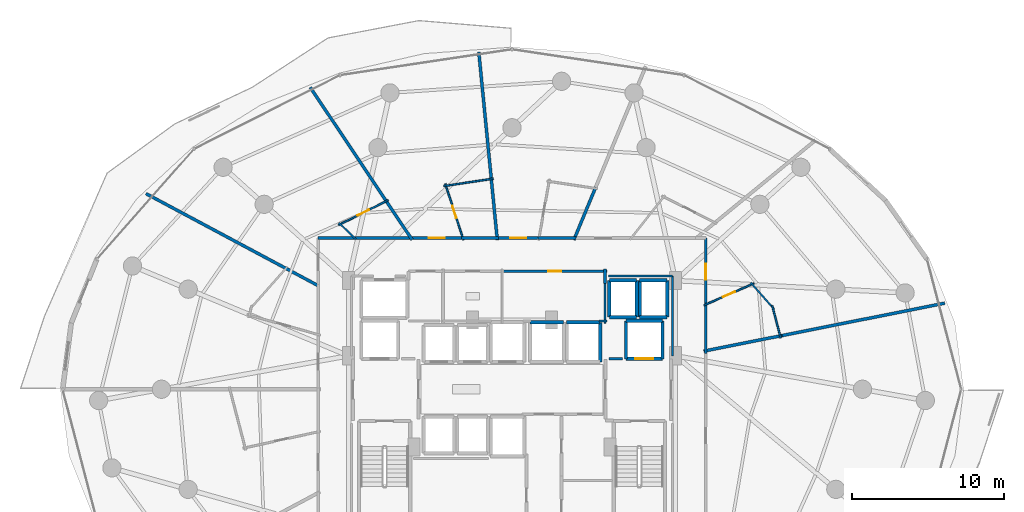
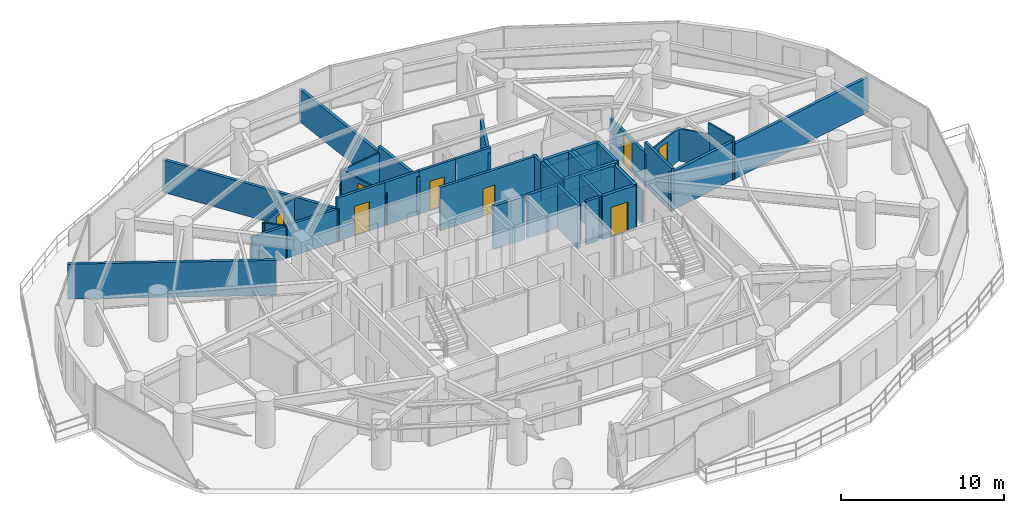
# One storey, part 29 of 34: 45 walls, 8 doors, 8 openings.
"""IFC4 building model written with IfcOpenShell, lengths in metres."""

from ifc_helpers import new_model, si_unit, direction, frame, frame_2d, origin, place, context, subcontext, project, spatial, rectangle, extrude, material, layer, layer_set, type_object, element, fill, save


model = new_model("IFC4")

# Units and contexts
model_context = context("Model", 3, precision=1e-05, world=origin(), true_north=direction((0.0, 1.0)))
body_context = subcontext(model_context, "Body", "Model", "MODEL_VIEW")
ifc_project = project(units=[si_unit("LENGTHUNIT", "METRE"), si_unit("AREAUNIT", "SQUARE_METRE"), si_unit("VOLUMEUNIT", "CUBIC_METRE"), si_unit("PLANEANGLEUNIT", "RADIAN"), si_unit("MASSUNIT", "GRAM", prefix="KILO")], contexts=[model_context])

# Site, building, storey
site_placement = place(None, origin())
site = spatial("IfcSite", under=ifc_project, at=site_placement, CompositionType="ELEMENT")
building_placement = place(site_placement, origin())
building = spatial("IfcBuilding", under=site, at=building_placement, Name="Vorneva Point Tower", CompositionType="ELEMENT")
storey_placement = place(building_placement, frame((0.0, 0.0, 62.5)))
storey = spatial("IfcBuildingStorey", under=building, at=storey_placement, Name="L16", CompositionType="ELEMENT", Elevation=62.5)

# Wall, opening, door
ifc_material_1 = material(Name="Concrete B60 (C50/60)", Category="concrete")
ifc_layer_1 = layer(ifc_material_1, 0.5)
ifc_layer_set_1 = layer_set([ifc_layer_1], Name="Concrete B60 (C50/60)")
wall_type_1 = type_object("IfcWallType", Name="WL-CORE-500", PredefinedType="SHEAR", material=ifc_layer_set_1)
wall_1_placement = place(storey_placement, frame((45.5, 28.0, 0.0), z_axis=(0.0, 0.0, 1.0), x_axis=(1.0, 0.0, 0.0)))
wall_1 = element("IfcWall", 1, at=wall_1_placement, inside=storey, type_object=wall_type_1, Name="L16 Lift FFL2 Shaft Wall -Y", PredefinedType="SHEAR", context=body_context, shape_type="SweptSolid", body=[
    extrude(rectangle(XDim=2.39990234375, YDim=0.219970703125, at=frame_2d((1.199951171875, 0.0))), origin(), (0.0, 0.0, 1.0), 3.239990234375),
])
opening_1_placement = place(wall_1_placement, frame((0.60009765625, 0.0, 0.0)))
opening_1 = element("IfcOpeningElement", 2, at=opening_1_placement, cuts=wall_1, Name="Opening LD-02", PredefinedType="OPENING", context=body_context, shape_type="SweptSolid", body=[
    extrude(rectangle(XDim=1.199951171875, YDim=2.199951171875, at=frame_2d((0.60009765625, 1.10009765625))), frame((0.0, 0.125, 0.0), z_axis=(0.0, -1.0, 0.0), x_axis=(1.0, 0.0, 0.0)), (0.0, 0.0, 1.0), 0.249755859375),
])
ifc_material_2 = material(Name="Brushed stainless steel S304", Category="steel")
door_type_1 = type_object("IfcDoorType", Name="LD-FIRE-1200", OperationType="SLIDING_TO_LEFT", PredefinedType="DOOR", material=ifc_material_2)
door_1_placement = place(opening_1_placement, origin())
door_1 = element("IfcDoor", 3, at=door_1_placement, inside=storey, type_object=door_type_1, Name="L16 Lift FFL2 Sliding Landing Door", OperationType="SLIDING_TO_LEFT", OverallHeight=2.199951171875, OverallWidth=1.199951171875, PredefinedType="DOOR", context=body_context, shape_type="SweptSolid", body=[
    extrude(rectangle(XDim=1.199951171875, YDim=2.199951171875, at=frame_2d((0.60009765625, 1.10009765625))), frame((0.0, 0.02490234375, 0.0), z_axis=(0.0, -1.0, 0.0), x_axis=(1.0, 0.0, 0.0)), (0.0, 0.0, 1.0), 0.050048828125),
])
fill(opening_1, door_1)

# Walls
wall_2_placement = place(storey_placement, frame((47.89990234375, 28.0, 0.0), z_axis=(0.0, 0.0, 1.0), x_axis=(0.0, 1.0, 0.0)))
element("IfcWall", 4, at=wall_2_placement, inside=storey, type_object=wall_type_1, Name="L16 Lift FFL2 Shaft Wall +X", PredefinedType="SHEAR", context=body_context, shape_type="SweptSolid", body=[
    extrude(rectangle(XDim=2.5, YDim=0.219970703125, at=frame_2d((1.25, 0.0))), origin(), (0.0, 0.0, 1.0), 3.239990234375),
])
wall_3_placement = place(storey_placement, frame((47.89990234375, 30.5, 0.0), z_axis=(0.0, 0.0, 1.0), x_axis=(-1.0, 0.0, 0.0)))
element("IfcWall", 5, at=wall_3_placement, inside=storey, type_object=wall_type_1, Name="L16 Lift FFL2 Shaft Wall +Y", PredefinedType="SHEAR", context=body_context, shape_type="SweptSolid", body=[
    extrude(rectangle(XDim=2.39990234375, YDim=0.219970703125, at=frame_2d((1.199951171875, 0.0))), origin(), (0.0, 0.0, 1.0), 3.239990234375),
])
wall_4_placement = place(storey_placement, frame((45.5, 30.5, 0.0), z_axis=(0.0, 0.0, 1.0), x_axis=(0.0, -1.0, 0.0)))
element("IfcWall", 6, at=wall_4_placement, inside=storey, type_object=wall_type_1, Name="L16 Lift FFL2 Shaft Wall -X", PredefinedType="SHEAR", context=body_context, shape_type="SweptSolid", body=[
    extrude(rectangle(XDim=2.5, YDim=0.219970703125, at=frame_2d((1.25, 0.0))), origin(), (0.0, 0.0, 1.0), 3.239990234375),
])
ifc_material_3 = material(Name="Fire-rated acoustic gypsum stud partition", Category="gypsum")
ifc_layer_2 = layer(ifc_material_3, 0.110107421875)
ifc_layer_set_2 = layer_set([ifc_layer_2], Name="Fire-rated acoustic gypsum stud partition")
wall_type_2 = type_object("IfcWallType", Name="WL-PART-110", PredefinedType="PARTITIONING", material=ifc_layer_set_2)
wall_5_placement = place(storey_placement, frame((53.697265625, 33.011962890625, 0.0), z_axis=(0.0, 0.0, 1.0), x_axis=(0.66211021146, -0.749406477074, 0.0)))
element("IfcWall", 7, at=wall_5_placement, inside=storey, type_object=wall_type_2, Name="L16 Interior Partition 049", PredefinedType="PARTITIONING", context=body_context, shape_type="SweptSolid", body=[
    extrude(rectangle(XDim=2.32958984375, YDim=0.110107421875, at=frame_2d((1.164794921875, 0.0))), origin(), (0.0, 0.0, 1.0), 2.431884765625),
])
wall_6_placement = place(storey_placement, frame((55.111328125, 31.50634765625, 0.0), z_axis=(0.0, 0.0, 1.0), x_axis=(0.254389812051, -0.967101764823, 0.0)))
element("IfcWall", 8, at=wall_6_placement, inside=storey, type_object=wall_type_2, Name="L16 Interior Partition 050", PredefinedType="PARTITIONING", context=body_context, shape_type="SweptSolid", body=[
    extrude(rectangle(XDim=2.206298828125, YDim=0.110107421875, at=frame_2d((1.10302734375, 0.0))), origin(), (0.0, 0.0, 1.0), 3.239990234375),
])

# Wall, opening, door
wall_7_placement = place(storey_placement, frame((50.62158203125, 31.52099609375, 0.0), z_axis=(0.0, 0.0, 1.0), x_axis=(0.91617134915, 0.400786799928, 0.0)))
wall_7 = element("IfcWall", 9, at=wall_7_placement, inside=storey, type_object=wall_type_2, Name="L16 Interior Partition 051", PredefinedType="PARTITIONING", context=body_context, shape_type="SweptSolid", body=[
    extrude(rectangle(XDim=3.598388671875, YDim=0.110107421875, at=frame_2d((1.79931640625, 0.0))), origin(), (0.0, 0.0, 1.0), 2.431884765625),
])
opening_2_placement = place(wall_7_placement, frame((1.3740234375, 0.0, 0.0)))
opening_2 = element("IfcOpeningElement", 10, at=opening_2_placement, cuts=wall_7, Name="Opening ID-02", PredefinedType="OPENING", context=body_context, shape_type="SweptSolid", body=[
    extrude(rectangle(XDim=0.85009765625, YDim=2.10009765625, at=frame_2d((0.425048828125, 1.050048828125))), frame((0.0, 0.06982421875, 0.0), z_axis=(0.0, -1.0, 0.0), x_axis=(1.0, 0.0, 0.0)), (0.0, 0.0, 1.0), 0.139892578125),
])
ifc_material_4 = material(Name="Engineered oak fire-rated door leaf", Category="wood")
door_type_2 = type_object("IfcDoorType", Name="DR-BATH-850", OperationType="NOTDEFINED", PredefinedType="DOOR", material=ifc_material_4)
door_2_placement = place(opening_2_placement, origin())
door_2 = element("IfcDoor", 11, at=door_2_placement, inside=storey, type_object=door_type_2, Name="L16 Door Executive Suite L16-01 / En-Suite Bathroom L16-01", OperationType="SINGLE_SWING_RIGHT", OverallHeight=2.10009765625, OverallWidth=0.85009765625, PredefinedType="DOOR", context=body_context, shape_type="SweptSolid", body=[
    extrude(rectangle(XDim=0.85009765625, YDim=2.10009765625, at=frame_2d((0.425048828125, 1.050048828125))), frame((0.0, 0.02490234375, 0.0), z_axis=(0.0, -1.0, 0.0), x_axis=(1.0, 0.0, 0.0)), (0.0, 0.0, 1.0), 0.050048828125),
])
fill(opening_2, door_2)

wall_8_placement = place(storey_placement, frame((34.810302734375, 35.81689453125, 0.0), z_axis=(0.0, 0.0, 1.0), x_axis=(-0.309023606939, 0.951054367718, 0.0)))
wall_8 = element("IfcWall", 12, at=wall_8_placement, inside=storey, type_object=wall_type_2, Name="L16 Interior Partition 063", PredefinedType="PARTITIONING", context=body_context, shape_type="SweptSolid", body=[
    extrude(rectangle(XDim=3.888671875, YDim=0.110107421875, at=frame_2d((1.9443359375, 0.0))), origin(), (0.0, 0.0, 1.0), 2.431884765625),
])
opening_3_placement = place(wall_8_placement, frame((1.519287109375, 0.0, 0.0)))
opening_3 = element("IfcOpeningElement", 13, at=opening_3_placement, cuts=wall_8, Name="Opening ID-02", PredefinedType="OPENING", context=body_context, shape_type="SweptSolid", body=[
    extrude(rectangle(XDim=0.85009765625, YDim=2.10009765625, at=frame_2d((0.425048828125, 1.050048828125))), frame((0.0, 0.06982421875, 0.0), z_axis=(0.0, -1.0, 0.0), x_axis=(1.0, 0.0, 0.0)), (0.0, 0.0, 1.0), 0.139892578125),
])
door_3_placement = place(opening_3_placement, origin())
door_3 = element("IfcDoor", 14, at=door_3_placement, inside=storey, type_object=door_type_2, Name="L16 Door Executive Suite L16-04 / En-Suite Bathroom L16-04", OperationType="SINGLE_SWING_LEFT", OverallHeight=2.10009765625, OverallWidth=0.85009765625, PredefinedType="DOOR", context=body_context, shape_type="SweptSolid", body=[
    extrude(rectangle(XDim=0.85009765625, YDim=2.10009765625, at=frame_2d((0.425048828125, 1.050048828125))), frame((0.0, 0.02490234375, 0.0), z_axis=(0.0, -1.0, 0.0), x_axis=(1.0, 0.0, 0.0)), (0.0, 0.0, 1.0), 0.050048828125),
])
fill(opening_3, door_3)

# Walls
wall_9_placement = place(storey_placement, frame((33.513671875, 39.361083984375, 0.0), z_axis=(0.0, 0.0, 1.0), x_axis=(0.98887765809, 0.148731225139, 0.0)))
element("IfcWall", 15, at=wall_9_placement, inside=storey, type_object=wall_type_2, Name="L16 Interior Partition 064", PredefinedType="PARTITIONING", context=body_context, shape_type="SweptSolid", body=[
    extrude(rectangle(XDim=3.29931640625, YDim=0.110107421875, at=frame_2d((1.649658203125, 0.0))), origin(), (0.0, 0.0, 1.0), 2.431884765625),
])
wall_10_placement = place(storey_placement, frame((27.751953125, 35.85302734375, 0.0), z_axis=(0.0, 0.0, 1.0), x_axis=(-0.720853814296, 0.693087136236, 0.0)))
element("IfcWall", 16, at=wall_10_placement, inside=storey, type_object=wall_type_2, Name="L16 Interior Partition 067", PredefinedType="PARTITIONING", context=body_context, shape_type="SweptSolid", body=[
    extrude(rectangle(XDim=1.582763671875, YDim=0.110107421875, at=frame_2d((0.79150390625, 0.0))), origin(), (0.0, 0.0, 1.0), 2.431884765625),
])

# Wall, opening, door
wall_11_placement = place(storey_placement, frame((26.5869140625, 36.789794921875, 0.0), z_axis=(0.0, 0.0, 1.0), x_axis=(0.892525573298, 0.450996786029, 0.0)))
wall_11 = element("IfcWall", 17, at=wall_11_placement, inside=storey, type_object=wall_type_2, Name="L16 Interior Partition 068", PredefinedType="PARTITIONING", context=body_context, shape_type="SweptSolid", body=[
    extrude(rectangle(XDim=3.66162109375, YDim=0.110107421875, at=frame_2d((1.830810546875, 0.0))), origin(), (0.0, 0.0, 1.0), 2.431884765625),
])
opening_4_placement = place(wall_11_placement, frame((1.40576171875, 0.0, 0.0)))
opening_4 = element("IfcOpeningElement", 18, at=opening_4_placement, cuts=wall_11, Name="Opening ID-02", PredefinedType="OPENING", context=body_context, shape_type="SweptSolid", body=[
    extrude(rectangle(XDim=0.85009765625, YDim=2.10009765625, at=frame_2d((0.425048828125, 1.050048828125))), frame((0.0, 0.06982421875, 0.0), z_axis=(0.0, -1.0, 0.0), x_axis=(1.0, 0.0, 0.0)), (0.0, 0.0, 1.0), 0.139892578125),
])
door_4_placement = place(opening_4_placement, origin())
door_4 = element("IfcDoor", 19, at=door_4_placement, inside=storey, type_object=door_type_2, Name="L16 Door Corner Suite L16-05 / En-Suite Bathroom L16-05", OperationType="SINGLE_SWING_RIGHT", OverallHeight=2.10009765625, OverallWidth=0.85009765625, PredefinedType="DOOR", context=body_context, shape_type="SweptSolid", body=[
    extrude(rectangle(XDim=0.85009765625, YDim=2.10009765625, at=frame_2d((0.425048828125, 1.050048828125))), frame((0.0, 0.02490234375, 0.0), z_axis=(0.0, -1.0, 0.0), x_axis=(1.0, 0.0, 0.0)), (0.0, 0.0, 1.0), 0.050048828125),
])
fill(opening_4, door_4)

# Walls
ifc_layer_3 = layer(ifc_material_3, 0.139892578125)
ifc_layer_set_3 = layer_set([ifc_layer_3], Name="Fire-rated acoustic gypsum stud partition")
wall_type_3 = type_object("IfcWallType", Name="WL-PART-140", PredefinedType="PARTITIONING", material=ifc_layer_set_3)
wall_12_placement = place(storey_placement, frame((43.735107421875, 30.47998046875, 0.0), z_axis=(0.0, 0.0, 1.0), x_axis=(1.0, 0.0, 0.0)))
element("IfcWall", 20, at=wall_12_placement, inside=storey, type_object=wall_type_3, Name="L16 Interior Closure Partition 097", PredefinedType="PARTITIONING", context=body_context, shape_type="SweptSolid", body=[
    extrude(rectangle(XDim=0.52490234375, YDim=0.139892578125, at=frame_2d((0.262451171875, 0.0))), origin(), (0.0, 0.0, 1.0), 3.239990234375),
])
wall_13_placement = place(storey_placement, frame((44.1201171875, 30.340087890625, 0.0), z_axis=(0.0, 0.0, 1.0), x_axis=(0.0, 1.0, 0.0)))
element("IfcWall", 21, at=wall_13_placement, inside=storey, type_object=wall_type_3, Name="L16 Interior Closure Partition 098", PredefinedType="PARTITIONING", context=body_context, shape_type="SweptSolid", body=[
    extrude(rectangle(XDim=2.659912109375, YDim=0.139892578125, at=frame_2d((1.330078125, 0.0))), origin(), (0.0, 0.0, 1.0), 3.239990234375),
])
wall_14_placement = place(storey_placement, frame((44.340087890625, 33.449951171875, 0.0), z_axis=(0.0, 0.0, 1.0), x_axis=(1.0, 0.0, 0.0)))
element("IfcWall", 22, at=wall_14_placement, inside=storey, type_object=wall_type_3, Name="L16 Interior Closure Partition 100", PredefinedType="PARTITIONING", context=body_context, shape_type="SweptSolid", body=[
    extrude(rectangle(XDim=4.2099609375, YDim=0.139892578125, at=frame_2d((2.10498046875, 0.0))), origin(), (0.0, 0.0, 1.0), 2.431884765625),
])
wall_15_placement = place(storey_placement, frame((48.550048828125, 33.449951171875, 0.0), z_axis=(0.0, 0.0, 1.0), x_axis=(0.0, -1.0, 0.0)))
element("IfcWall", 23, at=wall_15_placement, inside=storey, type_object=wall_type_3, Name="L16 Interior Closure Partition 101", PredefinedType="PARTITIONING", context=body_context, shape_type="SweptSolid", body=[
    extrude(rectangle(XDim=5.25390625, YDim=0.139892578125, at=frame_2d((2.626953125, 0.0))), origin(), (0.0, 0.0, 1.0), 2.431884765625),
])

# Wall, opening, door
ifc_material_5 = material(Name="Autoclaved aerated concrete blockwork", Category="masonry")
ifc_layer_4 = layer(ifc_material_5, 0.179931640625)
ifc_layer_set_4 = layer_set([ifc_layer_4], Name="Autoclaved aerated concrete blockwork")
wall_type_4 = type_object("IfcWallType", Name="WL-PART-180", PredefinedType="PARTITIONING", material=ifc_layer_set_4)
wall_16_placement = place(storey_placement, frame((44.260009765625, 33.760009765625, 0.0), z_axis=(0.0, 0.0, 1.0), x_axis=(-1.0, 0.0, 0.0)))
wall_16 = element("IfcWall", 24, at=wall_16_placement, inside=storey, type_object=wall_type_4, Name="L16 Interior Partition 019", PredefinedType="PARTITIONING", context=body_context, shape_type="SweptSolid", body=[
    extrude(rectangle(XDim=6.909912109375, YDim=0.179931640625, at=frame_2d((3.455078125, 0.0))), origin(), (0.0, 0.0, 1.0), 3.239990234375),
])
opening_5_placement = place(wall_16_placement, frame((3.030029296875, 0.0, 0.0)))
opening_5 = element("IfcOpeningElement", 25, at=opening_5_placement, cuts=wall_16, Name="Opening ID-02", PredefinedType="OPENING", context=body_context, shape_type="SweptSolid", body=[
    extrude(rectangle(XDim=0.85009765625, YDim=2.10009765625, at=frame_2d((0.425048828125, 1.050048828125))), frame((0.0, 0.10498046875, 0.0), z_axis=(0.0, -1.0, 0.0), x_axis=(1.0, 0.0, 0.0)), (0.0, 0.0, 1.0), 0.209716796875),
])
door_5_placement = place(opening_5_placement, origin())
door_5 = element("IfcDoor", 26, at=door_5_placement, inside=storey, type_object=door_type_2, Name="L16 Door Public Restroom / L16 Circulation Corridor", OperationType="SINGLE_SWING_LEFT", OverallHeight=2.10009765625, OverallWidth=0.85009765625, PredefinedType="DOOR", context=body_context, shape_type="SweptSolid", body=[
    extrude(rectangle(XDim=0.85009765625, YDim=2.10009765625, at=frame_2d((0.425048828125, 1.050048828125))), frame((0.0, 0.02490234375, 0.0), z_axis=(0.0, -1.0, 0.0), x_axis=(1.0, 0.0, 0.0)), (0.0, 0.0, 1.0), 0.050048828125),
])
fill(opening_5, door_5)

# Wall
wall_17_placement = place(storey_placement, frame((44.1201171875, 32.969970703125, 0.0), z_axis=(0.0, 0.0, 1.0), x_axis=(0.0, 1.0, 0.0)))
element("IfcWall", 27, at=wall_17_placement, inside=storey, type_object=wall_type_4, Name="L16 Interior Partition 020", PredefinedType="PARTITIONING", context=body_context, shape_type="SweptSolid", body=[
    extrude(rectangle(XDim=0.929931640625, YDim=0.179931640625, at=frame_2d((0.46484375, 0.0))), origin(), (0.0, 0.0, 1.0), 3.239990234375),
])

# Wall, opening, door
wall_18_placement = place(storey_placement, frame((50.75, 31.51708984375, 0.0), z_axis=(0.0, 0.0, 1.0), x_axis=(0.0, 1.0, 0.0)))
wall_18 = element("IfcWall", 28, at=wall_18_placement, inside=storey, type_object=wall_type_4, Name="L16 Interior Partition 022", PredefinedType="PARTITIONING", context=body_context, shape_type="SweptSolid", body=[
    extrude(rectangle(XDim=4.432861328125, YDim=0.179931640625, at=frame_2d((2.21630859375, 0.0))), origin(), (0.0, 0.0, 1.0), 2.431884765625),
])
opening_6_placement = place(wall_18_placement, frame((1.69140625, 0.0, 0.0)))
opening_6 = element("IfcOpeningElement", 29, at=opening_6_placement, cuts=wall_18, Name="Opening UD-02", PredefinedType="OPENING", context=body_context, shape_type="SweptSolid", body=[
    extrude(rectangle(XDim=1.050048828125, YDim=2.199951171875, at=frame_2d((0.52490234375, 1.10009765625))), frame((0.0, 0.10498046875, 0.0), z_axis=(0.0, -1.0, 0.0), x_axis=(1.0, 0.0, 0.0)), (0.0, 0.0, 1.0), 0.209716796875),
])
door_type_3 = type_object("IfcDoorType", Name="DR-SUITE-1050", OperationType="NOTDEFINED", PredefinedType="DOOR", material=ifc_material_4)
door_6_placement = place(opening_6_placement, origin())
door_6 = element("IfcDoor", 30, at=door_6_placement, inside=storey, type_object=door_type_3, Name="L16 Door L16 Circulation Corridor / Executive Suite L16-01", OperationType="SINGLE_SWING_LEFT", OverallHeight=2.199951171875, OverallWidth=1.050048828125, PredefinedType="DOOR", context=body_context, shape_type="SweptSolid", body=[
    extrude(rectangle(XDim=1.050048828125, YDim=2.199951171875, at=frame_2d((0.52490234375, 1.10009765625))), frame((0.0, 0.02490234375, 0.0), z_axis=(0.0, -1.0, 0.0), x_axis=(1.0, 0.0, 0.0)), (0.0, 0.0, 1.0), 0.050048828125),
])
fill(opening_6, door_6)

# Wall
wall_19_placement = place(storey_placement, frame((50.75, 28.3359375, 0.0), z_axis=(0.0, 0.0, 1.0), x_axis=(0.0, 1.0, 0.0)))
element("IfcWall", 31, at=wall_19_placement, inside=storey, type_object=wall_type_4, Name="L16 Interior Partition 024", PredefinedType="PARTITIONING", context=body_context, shape_type="SweptSolid", body=[
    extrude(rectangle(XDim=3.321044921875, YDim=0.179931640625, at=frame_2d((1.66064453125, 0.0))), origin(), (0.0, 0.0, 1.0), 3.239990234375),
])

# Wall, opening, door
wall_20_placement = place(storey_placement, frame((39.837890625, 35.949951171875, 0.0), z_axis=(0.0, 0.0, 1.0), x_axis=(-1.0, 0.0, 0.0)))
wall_20 = element("IfcWall", 32, at=wall_20_placement, inside=storey, type_object=wall_type_4, Name="L16 Interior Partition 027", PredefinedType="PARTITIONING", context=body_context, shape_type="SweptSolid", body=[
    extrude(rectangle(XDim=2.8779296875, YDim=0.179931640625, at=frame_2d((1.43896484375, 0.0))), origin(), (0.0, 0.0, 1.0), 3.239990234375),
])
opening_7_placement = place(wall_20_placement, frame((0.9140625, 0.0, 0.0)))
opening_7 = element("IfcOpeningElement", 33, at=opening_7_placement, cuts=wall_20, Name="Opening UD-02", PredefinedType="OPENING", context=body_context, shape_type="SweptSolid", body=[
    extrude(rectangle(XDim=1.050048828125, YDim=2.199951171875, at=frame_2d((0.52490234375, 1.10009765625))), frame((0.0, 0.10498046875, 0.0), z_axis=(0.0, -1.0, 0.0), x_axis=(1.0, 0.0, 0.0)), (0.0, 0.0, 1.0), 0.209716796875),
])
door_7_placement = place(opening_7_placement, origin())
door_7 = element("IfcDoor", 34, at=door_7_placement, inside=storey, type_object=door_type_3, Name="L16 Door L16 Circulation Corridor / Junior Suite L16-03", OperationType="SINGLE_SWING_LEFT", OverallHeight=2.199951171875, OverallWidth=1.050048828125, PredefinedType="DOOR", context=body_context, shape_type="SweptSolid", body=[
    extrude(rectangle(XDim=1.050048828125, YDim=2.199951171875, at=frame_2d((0.52490234375, 1.10009765625))), frame((0.0, 0.02490234375, 0.0), z_axis=(0.0, -1.0, 0.0), x_axis=(1.0, 0.0, 0.0)), (0.0, 0.0, 1.0), 0.050048828125),
])
fill(opening_7, door_7)

# Wall
wall_21_placement = place(storey_placement, frame((42.200927734375, 35.949951171875, 0.0), z_axis=(0.0, 0.0, 1.0), x_axis=(-1.0, 0.0, 0.0)))
element("IfcWall", 35, at=wall_21_placement, inside=storey, type_object=wall_type_4, Name="L16 Interior Partition 028", PredefinedType="PARTITIONING", context=body_context, shape_type="SweptSolid", body=[
    extrude(rectangle(XDim=2.5029296875, YDim=0.179931640625, at=frame_2d((1.25146484375, 0.0))), origin(), (0.0, 0.0, 1.0), 3.239990234375),
])

# Wall, opening, door
wall_22_placement = place(storey_placement, frame((34.826904296875, 35.949951171875, 0.0), z_axis=(0.0, 0.0, 1.0), x_axis=(-1.0, 0.0, 0.0)))
wall_22 = element("IfcWall", 36, at=wall_22_placement, inside=storey, type_object=wall_type_4, Name="L16 Interior Partition 029", PredefinedType="PARTITIONING", context=body_context, shape_type="SweptSolid", body=[
    extrude(rectangle(XDim=3.546875, YDim=0.179931640625, at=frame_2d((1.7734375, 0.0))), origin(), (0.0, 0.0, 1.0), 3.239990234375),
])
opening_8_placement = place(wall_22_placement, frame((1.24853515625, 0.0, 0.0)))
opening_8 = element("IfcOpeningElement", 37, at=opening_8_placement, cuts=wall_22, Name="Opening UD-02", PredefinedType="OPENING", context=body_context, shape_type="SweptSolid", body=[
    extrude(rectangle(XDim=1.050048828125, YDim=2.199951171875, at=frame_2d((0.52490234375, 1.10009765625))), frame((0.0, 0.10498046875, 0.0), z_axis=(0.0, -1.0, 0.0), x_axis=(1.0, 0.0, 0.0)), (0.0, 0.0, 1.0), 0.209716796875),
])
door_8_placement = place(opening_8_placement, origin())
door_8 = element("IfcDoor", 38, at=door_8_placement, inside=storey, type_object=door_type_3, Name="L16 Door L16 Circulation Corridor / Executive Suite L16-04", OperationType="SINGLE_SWING_RIGHT", OverallHeight=2.199951171875, OverallWidth=1.050048828125, PredefinedType="DOOR", context=body_context, shape_type="SweptSolid", body=[
    extrude(rectangle(XDim=1.050048828125, YDim=2.199951171875, at=frame_2d((0.52490234375, 1.10009765625))), frame((0.0, 0.02490234375, 0.0), z_axis=(0.0, -1.0, 0.0), x_axis=(1.0, 0.0, 0.0)), (0.0, 0.0, 1.0), 0.050048828125),
])
fill(opening_8, door_8)

# Walls
wall_23_placement = place(storey_placement, frame((37.10009765625, 35.949951171875, 0.0), z_axis=(0.0, 0.0, 1.0), x_axis=(-1.0, 0.0, 0.0)))
element("IfcWall", 39, at=wall_23_placement, inside=storey, type_object=wall_type_4, Name="L16 Interior Partition 030", PredefinedType="PARTITIONING", context=body_context, shape_type="SweptSolid", body=[
    extrude(rectangle(XDim=2.4130859375, YDim=0.179931640625, at=frame_2d((1.20654296875, 0.0))), origin(), (0.0, 0.0, 1.0), 3.239990234375),
])
wall_24_placement = place(storey_placement, frame((27.7109375, 35.949951171875, 0.0), z_axis=(0.0, 0.0, 1.0), x_axis=(-1.0, 0.0, 0.0)))
element("IfcWall", 40, at=wall_24_placement, inside=storey, type_object=wall_type_4, Name="L16 Interior Partition 031", PredefinedType="PARTITIONING", context=body_context, shape_type="SweptSolid", body=[
    extrude(rectangle(XDim=2.4609375, YDim=0.179931640625, at=frame_2d((1.23046875, 0.0))), origin(), (0.0, 0.0, 1.0), 2.431884765625),
])
wall_25_placement = place(storey_placement, frame((31.419921875, 35.949951171875, 0.0), z_axis=(0.0, 0.0, 1.0), x_axis=(-1.0, 0.0, 0.0)))
element("IfcWall", 41, at=wall_25_placement, inside=storey, type_object=wall_type_4, Name="L16 Interior Partition 033", PredefinedType="PARTITIONING", context=body_context, shape_type="SweptSolid", body=[
    extrude(rectangle(XDim=3.848876953125, YDim=0.179931640625, at=frame_2d((1.92431640625, 0.0))), origin(), (0.0, 0.0, 1.0), 2.431884765625),
])
wall_26_placement = place(storey_placement, frame((45.280029296875, 28.0, 0.0), z_axis=(0.0, 0.0, 1.0), x_axis=(-1.0, 0.0, 0.0)))
element("IfcWall", 42, at=wall_26_placement, inside=storey, type_object=wall_type_4, Name="L16 Interior Closure Partition 093", PredefinedType="PARTITIONING", context=body_context, shape_type="SweptSolid", body=[
    extrude(rectangle(XDim=0.9150390625, YDim=0.179931640625, at=frame_2d((0.45751953125, 0.0))), origin(), (0.0, 0.0, 1.0), 3.239990234375),
])
ifc_layer_5 = layer(ifc_material_5, 0.199951171875)
ifc_layer_set_5 = layer_set([ifc_layer_5], Name="Autoclaved aerated concrete blockwork")
wall_type_5 = type_object("IfcWallType", Name="WL-PART-200", PredefinedType="PARTITIONING", material=ifc_layer_set_5)
wall_27_placement = place(storey_placement, frame((55.636962890625, 29.508056640625, 0.0), z_axis=(0.0, 0.0, 1.0), x_axis=(0.980781844691, 0.195107593712, 0.0)))
element("IfcWall", 43, at=wall_27_placement, inside=storey, type_object=wall_type_5, Name="L16 Interior Partition 053", PredefinedType="PARTITIONING", context=body_context, shape_type="SweptSolid", body=[
    extrude(rectangle(XDim=11.0341796875, YDim=0.199951171875, at=frame_2d((5.51708984375, 0.0))), origin(), (0.0, 0.0, 1.0), 2.6240234375),
])
wall_28_placement = place(storey_placement, frame((50.61279296875, 28.5087890625, 0.0), z_axis=(0.0, 0.0, 1.0), x_axis=(0.980788877604, 0.195072236795, 0.0)))
element("IfcWall", 44, at=wall_28_placement, inside=storey, type_object=wall_type_5, Name="L16 Interior Partition 054", PredefinedType="PARTITIONING", context=body_context, shape_type="SweptSolid", body=[
    extrude(rectangle(XDim=5.2626953125, YDim=0.199951171875, at=frame_2d((2.63134765625, 0.0))), origin(), (0.0, 0.0, 1.0), 2.8740234375),
])
wall_29_placement = place(storey_placement, frame((43.503173828125, 39.28515625, 0.0), z_axis=(0.0, 0.0, 1.0), x_axis=(-0.382867331148, -0.923803337697, 0.0)))
element("IfcWall", 45, at=wall_29_placement, inside=storey, type_object=wall_type_5, Name="L16 Interior Partition 058", PredefinedType="PARTITIONING", context=body_context, shape_type="SweptSolid", body=[
    extrude(rectangle(XDim=3.75, YDim=0.199951171875, at=frame_2d((1.875, 0.0))), origin(), (0.0, 0.0, 1.0), 2.8740234375),
])
wall_30_placement = place(storey_placement, frame((35.81494140625, 48.18701171875, 0.0), z_axis=(0.0, 0.0, 1.0), x_axis=(0.098040138044, -0.995182461327, 0.0)))
element("IfcWall", 46, at=wall_30_placement, inside=storey, type_object=wall_type_5, Name="L16 Interior Partition 061", PredefinedType="PARTITIONING", context=body_context, shape_type="SweptSolid", body=[
    extrude(rectangle(XDim=8.456787109375, YDim=0.199951171875, at=frame_2d((4.228515625, 0.0))), origin(), (0.0, 0.0, 1.0), 2.431884765625),
])
wall_31_placement = place(storey_placement, frame((36.630126953125, 39.910400390625, 0.0), z_axis=(0.0, 0.0, 1.0), x_axis=(0.097966212623, -0.995189741298, 0.0)))
element("IfcWall", 47, at=wall_31_placement, inside=storey, type_object=wall_type_5, Name="L16 Interior Partition 062", PredefinedType="PARTITIONING", context=body_context, shape_type="SweptSolid", body=[
    extrude(rectangle(XDim=4.119384765625, YDim=0.199951171875, at=frame_2d((2.0595703125, 0.0))), origin(), (0.0, 0.0, 1.0), 2.8740234375),
])
wall_32_placement = place(storey_placement, frame((24.73291015625, 45.85595703125, 0.0), z_axis=(0.0, 0.0, 1.0), x_axis=(0.555564858458, -0.831473203444, 0.0)))
element("IfcWall", 48, at=wall_32_placement, inside=storey, type_object=wall_type_5, Name="L16 Interior Partition 065", PredefinedType="PARTITIONING", context=body_context, shape_type="SweptSolid", body=[
    extrude(rectangle(XDim=9.053955078125, YDim=0.199951171875, at=frame_2d((4.52685546875, 0.0))), origin(), (0.0, 0.0, 1.0), 2.431884765625),
])
wall_33_placement = place(storey_placement, frame((29.68505859375, 38.4443359375, 0.0), z_axis=(0.0, 0.0, 1.0), x_axis=(0.555596981897, -0.831451738652, 0.0)))
element("IfcWall", 49, at=wall_33_placement, inside=storey, type_object=wall_type_5, Name="L16 Interior Partition 066", PredefinedType="PARTITIONING", context=body_context, shape_type="SweptSolid", body=[
    extrude(rectangle(XDim=3.14013671875, YDim=0.199951171875, at=frame_2d((1.570068359375, 0.0))), origin(), (0.0, 0.0, 1.0), 2.431884765625),
])
wall_34_placement = place(storey_placement, frame((13.925048828125, 38.867919921875, 0.0), z_axis=(0.0, 0.0, 1.0), x_axis=(0.881932077496, -0.471376506292, 0.0)))
element("IfcWall", 50, at=wall_34_placement, inside=storey, type_object=wall_type_5, Name="L16 Interior Partition 069", PredefinedType="PARTITIONING", context=body_context, shape_type="SweptSolid", body=[
    extrude(rectangle(XDim=12.841064453125, YDim=0.199951171875, at=frame_2d((6.42041015625, 0.0))), origin(), (0.0, 0.0, 1.0), 2.6240234375),
])
ifc_material_6 = material(Name="Concrete B50 (C40/50)", Category="concrete")
ifc_layer_6 = layer(ifc_material_6, 0.219970703125)
ifc_layer_set_6 = layer_set([ifc_layer_6], Name="Concrete B50 (C40/50)")
wall_type_6 = type_object("IfcWallType", Name="WL-SHFT-220", PredefinedType="SOLIDWALL", material=ifc_layer_set_6)
wall_35_placement = place(storey_placement, frame((41.39990234375, 30.39990234375, 0.0), z_axis=(0.0, 0.0, 1.0), x_axis=(-1.0, 0.0, 0.0)))
element("IfcWall", 51, at=wall_35_placement, inside=storey, type_object=wall_type_6, Name="L16 Lift PL7 Shaft Wall +Y", PredefinedType="SOLIDWALL", context=body_context, shape_type="SweptSolid", body=[
    extrude(rectangle(XDim=2.199951171875, YDim=0.219970703125, at=frame_2d((1.10009765625, 0.0))), origin(), (0.0, 0.0, 1.0), 3.239990234375),
])
wall_36_placement = place(storey_placement, frame((43.800048828125, 27.800048828125, 0.0), z_axis=(0.0, 0.0, 1.0), x_axis=(0.0, 1.0, 0.0)))
element("IfcWall", 52, at=wall_36_placement, inside=storey, type_object=wall_type_6, Name="L16 Lift PL8 Shaft Wall +X", PredefinedType="SOLIDWALL", context=body_context, shape_type="SweptSolid", body=[
    extrude(rectangle(XDim=2.599853515625, YDim=0.219970703125, at=frame_2d((1.2998046875, 0.0))), origin(), (0.0, 0.0, 1.0), 3.239990234375),
])
wall_37_placement = place(storey_placement, frame((43.800048828125, 30.39990234375, 0.0), z_axis=(0.0, 0.0, 1.0), x_axis=(-1.0, 0.0, 0.0)))
element("IfcWall", 53, at=wall_37_placement, inside=storey, type_object=wall_type_6, Name="L16 Lift PL8 Shaft Wall +Y", PredefinedType="SOLIDWALL", context=body_context, shape_type="SweptSolid", body=[
    extrude(rectangle(XDim=2.199951171875, YDim=0.219970703125, at=frame_2d((1.10009765625, 0.0))), origin(), (0.0, 0.0, 1.0), 3.239990234375),
])
wall_38_placement = place(storey_placement, frame((44.39990234375, 30.739990234375, 0.0), z_axis=(0.0, 0.0, 1.0), x_axis=(1.0, 0.0, 0.0)))
element("IfcWall", 54, at=wall_38_placement, inside=storey, type_object=wall_type_6, Name="L16 Lift EX1 Shaft Wall -Y", PredefinedType="SOLIDWALL", context=body_context, shape_type="SweptSolid", body=[
    extrude(rectangle(XDim=1.800048828125, YDim=0.219970703125, at=frame_2d((0.89990234375, 0.0))), origin(), (0.0, 0.0, 1.0), 3.239990234375),
])
wall_39_placement = place(storey_placement, frame((46.199951171875, 30.739990234375, 0.0), z_axis=(0.0, 0.0, 1.0), x_axis=(0.0, 1.0, 0.0)))
element("IfcWall", 55, at=wall_39_placement, inside=storey, type_object=wall_type_6, Name="L16 Lift EX1 Shaft Wall +X", PredefinedType="SOLIDWALL", context=body_context, shape_type="SweptSolid", body=[
    extrude(rectangle(XDim=2.419921875, YDim=0.219970703125, at=frame_2d((1.2099609375, 0.0))), origin(), (0.0, 0.0, 1.0), 3.239990234375),
])
wall_40_placement = place(storey_placement, frame((46.199951171875, 33.159912109375, 0.0), z_axis=(0.0, 0.0, 1.0), x_axis=(-1.0, 0.0, 0.0)))
element("IfcWall", 56, at=wall_40_placement, inside=storey, type_object=wall_type_6, Name="L16 Lift EX1 Shaft Wall +Y", PredefinedType="SOLIDWALL", context=body_context, shape_type="SweptSolid", body=[
    extrude(rectangle(XDim=1.800048828125, YDim=0.219970703125, at=frame_2d((0.89990234375, 0.0))), origin(), (0.0, 0.0, 1.0), 3.239990234375),
])
wall_41_placement = place(storey_placement, frame((44.39990234375, 33.159912109375, 0.0), z_axis=(0.0, 0.0, 1.0), x_axis=(0.0, -1.0, 0.0)))
element("IfcWall", 57, at=wall_41_placement, inside=storey, type_object=wall_type_6, Name="L16 Lift EX1 Shaft Wall -X", PredefinedType="SOLIDWALL", context=body_context, shape_type="SweptSolid", body=[
    extrude(rectangle(XDim=2.419921875, YDim=0.219970703125, at=frame_2d((1.2099609375, 0.0))), origin(), (0.0, 0.0, 1.0), 3.239990234375),
])
wall_42_placement = place(storey_placement, frame((46.39990234375, 30.739990234375, 0.0), z_axis=(0.0, 0.0, 1.0), x_axis=(1.0, 0.0, 0.0)))
element("IfcWall", 58, at=wall_42_placement, inside=storey, type_object=wall_type_6, Name="L16 Lift EX2 Shaft Wall -Y", PredefinedType="SOLIDWALL", context=body_context, shape_type="SweptSolid", body=[
    extrude(rectangle(XDim=1.800048828125, YDim=0.219970703125, at=frame_2d((0.89990234375, 0.0))), origin(), (0.0, 0.0, 1.0), 3.239990234375),
])
wall_43_placement = place(storey_placement, frame((48.199951171875, 30.739990234375, 0.0), z_axis=(0.0, 0.0, 1.0), x_axis=(0.0, 1.0, 0.0)))
element("IfcWall", 59, at=wall_43_placement, inside=storey, type_object=wall_type_6, Name="L16 Lift EX2 Shaft Wall +X", PredefinedType="SOLIDWALL", context=body_context, shape_type="SweptSolid", body=[
    extrude(rectangle(XDim=2.419921875, YDim=0.219970703125, at=frame_2d((1.2099609375, 0.0))), origin(), (0.0, 0.0, 1.0), 3.239990234375),
])
wall_44_placement = place(storey_placement, frame((48.199951171875, 33.159912109375, 0.0), z_axis=(0.0, 0.0, 1.0), x_axis=(-1.0, 0.0, 0.0)))
element("IfcWall", 60, at=wall_44_placement, inside=storey, type_object=wall_type_6, Name="L16 Lift EX2 Shaft Wall +Y", PredefinedType="SOLIDWALL", context=body_context, shape_type="SweptSolid", body=[
    extrude(rectangle(XDim=1.800048828125, YDim=0.219970703125, at=frame_2d((0.89990234375, 0.0))), origin(), (0.0, 0.0, 1.0), 3.239990234375),
])
wall_45_placement = place(storey_placement, frame((46.39990234375, 33.159912109375, 0.0), z_axis=(0.0, 0.0, 1.0), x_axis=(0.0, -1.0, 0.0)))
element("IfcWall", 61, at=wall_45_placement, inside=storey, type_object=wall_type_6, Name="L16 Lift EX2 Shaft Wall -X", PredefinedType="SOLIDWALL", context=body_context, shape_type="SweptSolid", body=[
    extrude(rectangle(XDim=2.419921875, YDim=0.219970703125, at=frame_2d((1.2099609375, 0.0))), origin(), (0.0, 0.0, 1.0), 3.239990234375),
])

save(model, "model.ifc")
